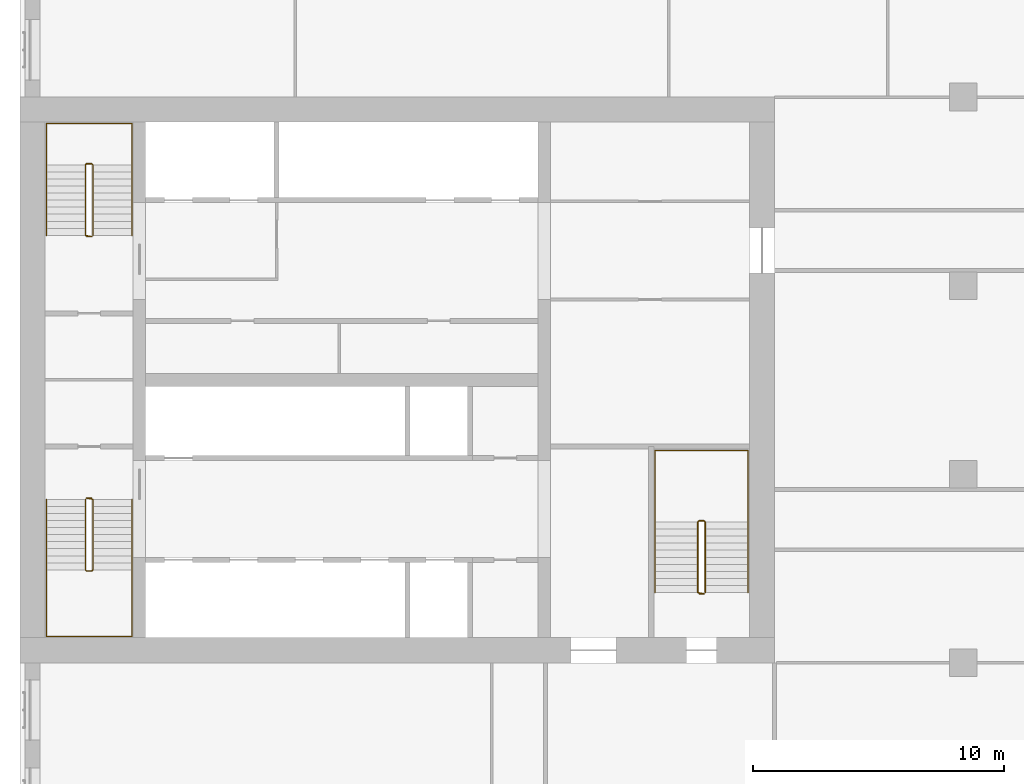
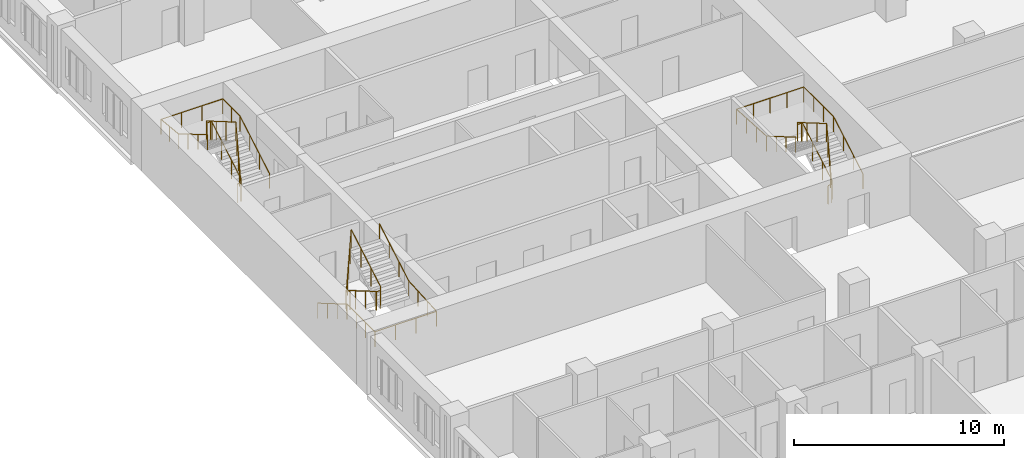
# One storey, part 14 of 14: 6 railings.
"""IFC4 building model written with IfcOpenShell, lengths in metres."""

from ifc_helpers import new_model, si_unit, direction, frame, origin, origin_2d, place, context, subcontext, project, spatial, circle, extrude, material, type_object, element, save


model = new_model("IFC4")

# Units and contexts
model_context = context("Model", 3, precision=1e-05, world=origin(), true_north=direction((0.0, 1.0)))
body_context = subcontext(model_context, "Body", "Model", "MODEL_VIEW")
ifc_project = project(units=[si_unit("LENGTHUNIT", "METRE"), si_unit("AREAUNIT", "SQUARE_METRE"), si_unit("VOLUMEUNIT", "CUBIC_METRE"), si_unit("PLANEANGLEUNIT", "RADIAN"), si_unit("MASSUNIT", "GRAM", prefix="KILO")], contexts=[model_context])

# Site, building, storey
site_placement = place(None, origin())
site = spatial("IfcSite", under=ifc_project, at=site_placement, CompositionType="ELEMENT")
building_placement = place(site_placement, origin())
building = spatial("IfcBuilding", under=site, at=building_placement, Name="Tamorin Gate", CompositionType="ELEMENT")
storey_placement = place(building_placement, frame((0.0, 0.0, 86.300048828125)))
storey = spatial("IfcBuildingStorey", under=building, at=storey_placement, Name="L20", CompositionType="ELEMENT", Elevation=86.300048828125)

# Railings
ifc_material_1 = material(Name="Painted steel balustrade", Category="steel")
railing_type_1 = type_object("IfcRailingType", Name="Stair guard 1100", PredefinedType="GUARDRAIL", material=ifc_material_1)
railing_1_placement = place(storey_placement, frame((32.60009765625, 66.5, 0.16357421875)))
element("IfcRailing", 1, at=railing_1_placement, inside=storey, type_object=railing_type_1, Name="L20 ST1 stair guard 1", PredefinedType="GUARDRAIL", context=body_context, shape_type="SweptSolid", body=[
    extrude(circle(Radius=0.02392578125, at=origin_2d()), frame((0.0, 0.0, 1.076171875), z_axis=(0.0, -0.863360870873, 0.504586966384), x_axis=(1.0, 0.0, 0.0)), (0.0, 0.0, 1.0), 3.2431640625),
    extrude(circle(Radius=0.02392578125, at=origin_2d()), frame((0.0, -2.800048828125, 2.71240234375), z_axis=(0.705375805398, -0.708833529934, 0.0), x_axis=(0.708833529934, 0.705375805398, 0.0)), (0.0, 0.0, 1.0), 0.070556640625),
    extrude(circle(Radius=0.02392578125, at=origin_2d()), frame((0.0498046875, -2.85009765625, 2.71240234375), z_axis=(1.0, 0.0, 0.0), x_axis=(0.0, 1.0, 0.0)), (0.0, 0.0, 1.0), 0.2001953125),
    extrude(circle(Radius=0.02392578125, at=origin_2d()), frame((0.25, -2.85009765625, 2.71240234375), z_axis=(0.279546231943, 0.280916556609, 0.91811752648), x_axis=(-0.708833529934, 0.705375805398, 0.0)), (0.0, 0.0, 1.0), 0.17822265625),
    extrude(circle(Radius=0.02392578125, at=origin_2d()), frame((0.2998046875, -2.800048828125, 2.8759765625), z_axis=(0.0, 0.863393664356, 0.504530851732), x_axis=(-1.0, 0.0, 0.0)), (0.0, 0.0, 1.0), 3.2431640625),
    extrude(circle(Radius=0.02392578125, at=origin_2d()), frame((0.2998046875, 0.0, 4.51220703125), z_axis=(-0.069273741535, 0.013868278335, -0.997501288014), x_axis=(-0.196300278283, -0.98054382908, 0.0)), (0.0, 0.0, 1.0), 3.60888671875),
    extrude(circle(Radius=0.02392578125, at=origin_2d()), frame((0.0498046875, 0.050048828125, 0.91259765625), z_axis=(1.0, 0.0, 0.0), x_axis=(0.0, 1.0, 0.0)), (0.0, 0.0, 1.0), 0.2001953125),
    extrude(circle(Radius=0.02099609375, at=origin_2d()), origin(), (0.0, 0.0, 1.0), 1.052001953125),
    extrude(circle(Radius=0.02099609375, at=origin_2d()), frame((0.0, -0.933349609375, 0.54541015625)), (0.0, 0.0, 1.0), 1.052001953125),
    extrude(circle(Radius=0.02099609375, at=origin_2d()), frame((0.0, -1.86669921875, 1.091064453125)), (0.0, 0.0, 1.0), 1.052001953125),
    extrude(circle(Radius=0.02099609375, at=origin_2d()), frame((0.0, -2.800048828125, 1.636474609375)), (0.0, 0.0, 1.0), 1.052001953125),
    extrude(circle(Radius=0.02099609375, at=origin_2d()), frame((0.0498046875, -2.85009765625, 1.636474609375)), (0.0, 0.0, 1.0), 1.052001953125),
    extrude(circle(Radius=0.02099609375, at=origin_2d()), frame((0.25, -2.85009765625, 1.636474609375)), (0.0, 0.0, 1.0), 1.052001953125),
    extrude(circle(Radius=0.02099609375, at=origin_2d()), frame((0.2998046875, -2.800048828125, 1.800048828125)), (0.0, 0.0, 1.0), 1.052001953125),
    extrude(circle(Radius=0.02099609375, at=origin_2d()), frame((0.2998046875, -1.86669921875, 2.345458984375)), (0.0, 0.0, 1.0), 1.052001953125),
    extrude(circle(Radius=0.02099609375, at=origin_2d()), frame((0.2998046875, -0.933349609375, 2.890869140625)), (0.0, 0.0, 1.0), 1.052001953125),
    extrude(circle(Radius=0.02099609375, at=origin_2d()), frame((0.2998046875, 0.0, 3.436279296875)), (0.0, 0.0, 1.0), 1.052001953125),
    extrude(circle(Radius=0.02099609375, at=origin_2d()), frame((0.2373046875, 0.012451171875, 2.536376953125)), (0.0, 0.0, 1.0), 1.052001953125),
    extrude(circle(Radius=0.02099609375, at=origin_2d()), frame((0.1748046875, 0.02490234375, 1.63623046875)), (0.0, 0.0, 1.0), 1.052001953125),
    extrude(circle(Radius=0.02099609375, at=origin_2d()), frame((0.1123046875, 0.03759765625, 0.736328125)), (0.0, 0.0, 1.0), 1.052001953125),
    extrude(circle(Radius=0.02099609375, at=origin_2d()), frame((0.0498046875, 0.050048828125, -0.16357421875)), (0.0, 0.0, 1.0), 1.052001953125),
    extrude(circle(Radius=0.02099609375, at=origin_2d()), frame((0.25, 0.050048828125, -0.16357421875)), (0.0, 0.0, 1.0), 1.052001953125),
])
railing_2_placement = place(storey_placement, frame((32.89990234375, 77.0, 0.16357421875)))
element("IfcRailing", 2, at=railing_2_placement, inside=storey, type_object=railing_type_1, Name="L20 ST2 stair guard 1", PredefinedType="GUARDRAIL", context=body_context, shape_type="SweptSolid", body=[
    extrude(circle(Radius=0.02392578125, at=origin_2d()), frame((0.0, 0.0, 1.076171875), z_axis=(0.0, 0.863360870873, 0.504586966384), x_axis=(-1.0, 0.0, 0.0)), (0.0, 0.0, 1.0), 3.2431640625),
    extrude(circle(Radius=0.02392578125, at=origin_2d()), frame((0.0, 2.800048828125, 2.71240234375), z_axis=(-0.705375805398, 0.708833529934, 0.0), x_axis=(-0.708833529934, -0.705375805398, 0.0)), (0.0, 0.0, 1.0), 0.070556640625),
    extrude(circle(Radius=0.02392578125, at=origin_2d()), frame((-0.0498046875, 2.85009765625, 2.71240234375), z_axis=(-1.0, 0.0, 0.0), x_axis=(0.0, -1.0, 0.0)), (0.0, 0.0, 1.0), 0.2001953125),
    extrude(circle(Radius=0.02392578125, at=origin_2d()), frame((-0.25, 2.85009765625, 2.71240234375), z_axis=(-0.279546231943, -0.280916556609, 0.91811752648), x_axis=(0.708833529934, -0.705375805398, 0.0)), (0.0, 0.0, 1.0), 0.17822265625),
    extrude(circle(Radius=0.02392578125, at=origin_2d()), frame((-0.2998046875, 2.800048828125, 2.8759765625), z_axis=(0.0, -0.863393664356, 0.504530851732), x_axis=(1.0, 0.0, 0.0)), (0.0, 0.0, 1.0), 3.2431640625),
    extrude(circle(Radius=0.02392578125, at=origin_2d()), frame((-0.2998046875, 0.0, 4.51220703125), z_axis=(0.069273741535, -0.013868278335, -0.997501288014), x_axis=(0.196300278283, 0.98054382908, 0.0)), (0.0, 0.0, 1.0), 3.60888671875),
    extrude(circle(Radius=0.02392578125, at=origin_2d()), frame((-0.0498046875, -0.050048828125, 0.91259765625), z_axis=(-1.0, 0.0, 0.0), x_axis=(0.0, -1.0, 0.0)), (0.0, 0.0, 1.0), 0.2001953125),
    extrude(circle(Radius=0.02099609375, at=origin_2d()), origin(), (0.0, 0.0, 1.0), 1.052001953125),
    extrude(circle(Radius=0.02099609375, at=origin_2d()), frame((0.0, 0.933349609375, 0.54541015625)), (0.0, 0.0, 1.0), 1.052001953125),
    extrude(circle(Radius=0.02099609375, at=origin_2d()), frame((0.0, 1.86669921875, 1.091064453125)), (0.0, 0.0, 1.0), 1.052001953125),
    extrude(circle(Radius=0.02099609375, at=origin_2d()), frame((0.0, 2.800048828125, 1.636474609375)), (0.0, 0.0, 1.0), 1.052001953125),
    extrude(circle(Radius=0.02099609375, at=origin_2d()), frame((-0.0498046875, 2.85009765625, 1.636474609375)), (0.0, 0.0, 1.0), 1.052001953125),
    extrude(circle(Radius=0.02099609375, at=origin_2d()), frame((-0.25, 2.85009765625, 1.636474609375)), (0.0, 0.0, 1.0), 1.052001953125),
    extrude(circle(Radius=0.02099609375, at=origin_2d()), frame((-0.2998046875, 2.800048828125, 1.800048828125)), (0.0, 0.0, 1.0), 1.052001953125),
    extrude(circle(Radius=0.02099609375, at=origin_2d()), frame((-0.2998046875, 1.86669921875, 2.345458984375)), (0.0, 0.0, 1.0), 1.052001953125),
    extrude(circle(Radius=0.02099609375, at=origin_2d()), frame((-0.2998046875, 0.933349609375, 2.890869140625)), (0.0, 0.0, 1.0), 1.052001953125),
    extrude(circle(Radius=0.02099609375, at=origin_2d()), frame((-0.2998046875, 0.0, 3.436279296875)), (0.0, 0.0, 1.0), 1.052001953125),
    extrude(circle(Radius=0.02099609375, at=origin_2d()), frame((-0.2373046875, -0.012451171875, 2.536376953125)), (0.0, 0.0, 1.0), 1.052001953125),
    extrude(circle(Radius=0.02099609375, at=origin_2d()), frame((-0.1748046875, -0.02490234375, 1.63623046875)), (0.0, 0.0, 1.0), 1.052001953125),
    extrude(circle(Radius=0.02099609375, at=origin_2d()), frame((-0.1123046875, -0.03759765625, 0.736328125)), (0.0, 0.0, 1.0), 1.052001953125),
    extrude(circle(Radius=0.02099609375, at=origin_2d()), frame((-0.0498046875, -0.050048828125, -0.16357421875)), (0.0, 0.0, 1.0), 1.052001953125),
    extrude(circle(Radius=0.02099609375, at=origin_2d()), frame((-0.25, -0.050048828125, -0.16357421875)), (0.0, 0.0, 1.0), 1.052001953125),
])
railing_3_placement = place(storey_placement, frame((57.25, 62.800048828125, 0.16357421875)))
element("IfcRailing", 3, at=railing_3_placement, inside=storey, type_object=railing_type_1, Name="L20 ST3 stair guard 1", PredefinedType="GUARDRAIL", context=body_context, shape_type="SweptSolid", body=[
    extrude(circle(Radius=0.02392578125, at=origin_2d()), frame((0.0, 0.0, 1.076171875), z_axis=(0.0, 0.863360870873, 0.504586966384), x_axis=(-1.0, 0.0, 0.0)), (0.0, 0.0, 1.0), 3.2431640625),
    extrude(circle(Radius=0.02392578125, at=origin_2d()), frame((0.0, 2.800048828125, 2.71240234375), z_axis=(-0.708833529934, 0.705375805398, 0.0), x_axis=(-0.705375805398, -0.708833529934, 0.0)), (0.0, 0.0, 1.0), 0.070556640625),
    extrude(circle(Radius=0.02392578125, at=origin_2d()), frame((-0.050048828125, 2.849853515625, 2.71240234375), z_axis=(-1.0, 0.0, 0.0), x_axis=(0.0, -1.0, 0.0)), (0.0, 0.0, 1.0), 0.199951171875),
    extrude(circle(Radius=0.02392578125, at=origin_2d()), frame((-0.25, 2.849853515625, 2.71240234375), z_axis=(-0.280916556609, -0.279546231943, 0.91811752648), x_axis=(0.705375805398, -0.708833529934, 0.0)), (0.0, 0.0, 1.0), 0.17822265625),
    extrude(circle(Radius=0.02392578125, at=origin_2d()), frame((-0.300048828125, 2.800048828125, 2.8759765625), z_axis=(0.0, -0.863393664356, 0.504530851732), x_axis=(1.0, 0.0, 0.0)), (0.0, 0.0, 1.0), 3.2431640625),
    extrude(circle(Radius=0.02392578125, at=origin_2d()), frame((-0.300048828125, 0.0, 4.51220703125), z_axis=(0.069273741535, -0.013868278335, -0.997501288014), x_axis=(0.196300278283, 0.98054382908, 0.0)), (0.0, 0.0, 1.0), 3.60888671875),
    extrude(circle(Radius=0.02392578125, at=origin_2d()), frame((-0.050048828125, -0.050048828125, 0.91259765625), z_axis=(-1.0, 0.0, 0.0), x_axis=(0.0, -1.0, 0.0)), (0.0, 0.0, 1.0), 0.199951171875),
    extrude(circle(Radius=0.02099609375, at=origin_2d()), origin(), (0.0, 0.0, 1.0), 1.052001953125),
    extrude(circle(Radius=0.02099609375, at=origin_2d()), frame((0.0, 0.933349609375, 0.54541015625)), (0.0, 0.0, 1.0), 1.052001953125),
    extrude(circle(Radius=0.02099609375, at=origin_2d()), frame((0.0, 1.86669921875, 1.091064453125)), (0.0, 0.0, 1.0), 1.052001953125),
    extrude(circle(Radius=0.02099609375, at=origin_2d()), frame((0.0, 2.800048828125, 1.636474609375)), (0.0, 0.0, 1.0), 1.052001953125),
    extrude(circle(Radius=0.02099609375, at=origin_2d()), frame((-0.050048828125, 2.849853515625, 1.636474609375)), (0.0, 0.0, 1.0), 1.052001953125),
    extrude(circle(Radius=0.02099609375, at=origin_2d()), frame((-0.25, 2.849853515625, 1.636474609375)), (0.0, 0.0, 1.0), 1.052001953125),
    extrude(circle(Radius=0.02099609375, at=origin_2d()), frame((-0.300048828125, 2.800048828125, 1.800048828125)), (0.0, 0.0, 1.0), 1.052001953125),
    extrude(circle(Radius=0.02099609375, at=origin_2d()), frame((-0.300048828125, 1.86669921875, 2.345458984375)), (0.0, 0.0, 1.0), 1.052001953125),
    extrude(circle(Radius=0.02099609375, at=origin_2d()), frame((-0.300048828125, 0.933349609375, 2.890869140625)), (0.0, 0.0, 1.0), 1.052001953125),
    extrude(circle(Radius=0.02099609375, at=origin_2d()), frame((-0.300048828125, 0.0, 3.436279296875)), (0.0, 0.0, 1.0), 1.052001953125),
    extrude(circle(Radius=0.02099609375, at=origin_2d()), frame((-0.237548828125, -0.012451171875, 2.536376953125)), (0.0, 0.0, 1.0), 1.052001953125),
    extrude(circle(Radius=0.02099609375, at=origin_2d()), frame((-0.175048828125, -0.02490234375, 1.63623046875)), (0.0, 0.0, 1.0), 1.052001953125),
    extrude(circle(Radius=0.02099609375, at=origin_2d()), frame((-0.112548828125, -0.03759765625, 0.736328125)), (0.0, 0.0, 1.0), 1.052001953125),
    extrude(circle(Radius=0.02099609375, at=origin_2d()), frame((-0.050048828125, -0.050048828125, -0.16357421875)), (0.0, 0.0, 1.0), 1.052001953125),
    extrude(circle(Radius=0.02099609375, at=origin_2d()), frame((-0.25, -0.050048828125, -0.16357421875)), (0.0, 0.0, 1.0), 1.052001953125),
])
ifc_material_2 = material(Name="Painted steel handrail", Category="steel")
railing_type_2 = type_object("IfcRailingType", Name="Stair handrail 900", PredefinedType="HANDRAIL", material=ifc_material_2)
railing_4_placement = place(storey_placement, frame((31.050048828125, 66.5, 0.16357421875)))
element("IfcRailing", 4, at=railing_4_placement, inside=storey, type_object=railing_type_2, Name="L20 ST1 stair handrail 1", PredefinedType="HANDRAIL", context=body_context, shape_type="SweptSolid", body=[
    extrude(circle(Radius=0.02392578125, at=origin_2d()), frame((0.0, 0.0, 0.8759765625), z_axis=(0.0, -0.863360870873, 0.504586966384), x_axis=(1.0, 0.0, 0.0)), (0.0, 0.0, 1.0), 3.2431640625),
    extrude(circle(Radius=0.02392578125, at=origin_2d()), frame((0.0, -2.800048828125, 2.51220703125), z_axis=(0.0, -1.0, 0.0), x_axis=(1.0, 0.0, 0.0)), (0.0, 0.0, 1.0), 2.64990234375),
    extrude(circle(Radius=0.02392578125, at=origin_2d()), frame((0.0, -5.449951171875, 2.51220703125), z_axis=(1.0, 0.0, 0.0), x_axis=(0.0, 1.0, 0.0)), (0.0, 0.0, 1.0), 3.39990234375),
    extrude(circle(Radius=0.02392578125, at=origin_2d()), frame((3.39990234375, -5.449951171875, 2.51220703125), z_axis=(0.0, 0.998100230056, 0.061611125312), x_axis=(-1.0, 0.0, 0.0)), (0.0, 0.0, 1.0), 2.655029296875),
    extrude(circle(Radius=0.02392578125, at=origin_2d()), frame((3.39990234375, -2.800048828125, 2.67578125), z_axis=(0.0, 0.863393664356, 0.504530851732), x_axis=(-1.0, 0.0, 0.0)), (0.0, 0.0, 1.0), 3.2431640625),
    extrude(circle(Radius=0.02099609375, at=origin_2d()), origin(), (0.0, 0.0, 1.0), 0.851806640625),
    extrude(circle(Radius=0.02099609375, at=origin_2d()), frame((0.0, -0.933349609375, 0.54541015625)), (0.0, 0.0, 1.0), 0.851806640625),
    extrude(circle(Radius=0.02099609375, at=origin_2d()), frame((0.0, -1.86669921875, 1.091064453125)), (0.0, 0.0, 1.0), 0.851806640625),
    extrude(circle(Radius=0.02099609375, at=origin_2d()), frame((0.0, -2.800048828125, 1.636474609375)), (0.0, 0.0, 1.0), 0.851806640625),
    extrude(circle(Radius=0.02099609375, at=origin_2d()), frame((0.0, -3.683349609375, 1.636474609375)), (0.0, 0.0, 1.0), 0.851806640625),
    extrude(circle(Radius=0.02099609375, at=origin_2d()), frame((0.0, -4.566650390625, 1.636474609375)), (0.0, 0.0, 1.0), 0.851806640625),
    extrude(circle(Radius=0.02099609375, at=origin_2d()), frame((0.0, -5.449951171875, 1.636474609375)), (0.0, 0.0, 1.0), 0.851806640625),
    extrude(circle(Radius=0.02099609375, at=origin_2d()), frame((1.13330078125, -5.449951171875, 1.636474609375)), (0.0, 0.0, 1.0), 0.851806640625),
    extrude(circle(Radius=0.02099609375, at=origin_2d()), frame((2.2666015625, -5.449951171875, 1.636474609375)), (0.0, 0.0, 1.0), 0.851806640625),
    extrude(circle(Radius=0.02099609375, at=origin_2d()), frame((3.39990234375, -5.449951171875, 1.636474609375)), (0.0, 0.0, 1.0), 0.851806640625),
    extrude(circle(Radius=0.02099609375, at=origin_2d()), frame((3.39990234375, -4.566650390625, 1.69091796875)), (0.0, 0.0, 1.0), 0.851806640625),
    extrude(circle(Radius=0.02099609375, at=origin_2d()), frame((3.39990234375, -3.683349609375, 1.74560546875)), (0.0, 0.0, 1.0), 0.851806640625),
    extrude(circle(Radius=0.02099609375, at=origin_2d()), frame((3.39990234375, -2.800048828125, 1.800048828125)), (0.0, 0.0, 1.0), 0.851806640625),
    extrude(circle(Radius=0.02099609375, at=origin_2d()), frame((3.39990234375, -1.86669921875, 2.345458984375)), (0.0, 0.0, 1.0), 0.851806640625),
    extrude(circle(Radius=0.02099609375, at=origin_2d()), frame((3.39990234375, -0.933349609375, 2.890869140625)), (0.0, 0.0, 1.0), 0.851806640625),
    extrude(circle(Radius=0.02099609375, at=origin_2d()), frame((3.39990234375, 0.0, 3.436279296875)), (0.0, 0.0, 1.0), 0.851806640625),
])
railing_5_placement = place(storey_placement, frame((34.449951171875, 77.0, 0.16357421875)))
element("IfcRailing", 5, at=railing_5_placement, inside=storey, type_object=railing_type_2, Name="L20 ST2 stair handrail 1", PredefinedType="HANDRAIL", context=body_context, shape_type="SweptSolid", body=[
    extrude(circle(Radius=0.02392578125, at=origin_2d()), frame((0.0, 0.0, 0.8759765625), z_axis=(0.0, 0.863360870873, 0.504586966384), x_axis=(-1.0, 0.0, 0.0)), (0.0, 0.0, 1.0), 3.2431640625),
    extrude(circle(Radius=0.02392578125, at=origin_2d()), frame((0.0, 2.800048828125, 2.51220703125), z_axis=(0.0, 1.0, 0.0), x_axis=(-1.0, 0.0, 0.0)), (0.0, 0.0, 1.0), 1.64990234375),
    extrude(circle(Radius=0.02392578125, at=origin_2d()), frame((0.0, 4.449951171875, 2.51220703125), z_axis=(-1.0, 0.0, 0.0), x_axis=(0.0, -1.0, 0.0)), (0.0, 0.0, 1.0), 3.39990234375),
    extrude(circle(Radius=0.02392578125, at=origin_2d()), frame((-3.39990234375, 4.449951171875, 2.51220703125), z_axis=(0.0, -0.995121390814, 0.098658084026), x_axis=(1.0, 0.0, 0.0)), (0.0, 0.0, 1.0), 1.657958984375),
    extrude(circle(Radius=0.02392578125, at=origin_2d()), frame((-3.39990234375, 2.800048828125, 2.67578125), z_axis=(0.0, -0.863393664356, 0.504530851732), x_axis=(1.0, 0.0, 0.0)), (0.0, 0.0, 1.0), 3.2431640625),
    extrude(circle(Radius=0.02099609375, at=origin_2d()), origin(), (0.0, 0.0, 1.0), 0.851806640625),
    extrude(circle(Radius=0.02099609375, at=origin_2d()), frame((0.0, 0.933349609375, 0.54541015625)), (0.0, 0.0, 1.0), 0.851806640625),
    extrude(circle(Radius=0.02099609375, at=origin_2d()), frame((0.0, 1.86669921875, 1.091064453125)), (0.0, 0.0, 1.0), 0.851806640625),
    extrude(circle(Radius=0.02099609375, at=origin_2d()), frame((0.0, 2.800048828125, 1.636474609375)), (0.0, 0.0, 1.0), 0.851806640625),
    extrude(circle(Radius=0.02099609375, at=origin_2d()), frame((0.0, 3.625, 1.636474609375)), (0.0, 0.0, 1.0), 0.851806640625),
    extrude(circle(Radius=0.02099609375, at=origin_2d()), frame((0.0, 4.449951171875, 1.636474609375)), (0.0, 0.0, 1.0), 0.851806640625),
    extrude(circle(Radius=0.02099609375, at=origin_2d()), frame((-1.13330078125, 4.449951171875, 1.636474609375)), (0.0, 0.0, 1.0), 0.851806640625),
    extrude(circle(Radius=0.02099609375, at=origin_2d()), frame((-2.2666015625, 4.449951171875, 1.636474609375)), (0.0, 0.0, 1.0), 0.851806640625),
    extrude(circle(Radius=0.02099609375, at=origin_2d()), frame((-3.39990234375, 4.449951171875, 1.636474609375)), (0.0, 0.0, 1.0), 0.851806640625),
    extrude(circle(Radius=0.02099609375, at=origin_2d()), frame((-3.39990234375, 3.625, 1.71826171875)), (0.0, 0.0, 1.0), 0.851806640625),
    extrude(circle(Radius=0.02099609375, at=origin_2d()), frame((-3.39990234375, 2.800048828125, 1.800048828125)), (0.0, 0.0, 1.0), 0.851806640625),
    extrude(circle(Radius=0.02099609375, at=origin_2d()), frame((-3.39990234375, 1.86669921875, 2.345458984375)), (0.0, 0.0, 1.0), 0.851806640625),
    extrude(circle(Radius=0.02099609375, at=origin_2d()), frame((-3.39990234375, 0.933349609375, 2.890869140625)), (0.0, 0.0, 1.0), 0.851806640625),
    extrude(circle(Radius=0.02099609375, at=origin_2d()), frame((-3.39990234375, 0.0, 3.436279296875)), (0.0, 0.0, 1.0), 0.851806640625),
])
railing_6_placement = place(storey_placement, frame((58.949951171875, 62.800048828125, 0.16357421875)))
element("IfcRailing", 6, at=railing_6_placement, inside=storey, type_object=railing_type_2, Name="L20 ST3 stair handrail 1", PredefinedType="HANDRAIL", context=body_context, shape_type="SweptSolid", body=[
    extrude(circle(Radius=0.02392578125, at=origin_2d()), frame((0.0, 0.0, 0.8759765625), z_axis=(0.0, 0.863360870873, 0.504586966384), x_axis=(-1.0, 0.0, 0.0)), (0.0, 0.0, 1.0), 3.2431640625),
    extrude(circle(Radius=0.02392578125, at=origin_2d()), frame((0.0, 2.800048828125, 2.51220703125), z_axis=(0.0, 1.0, 0.0), x_axis=(-1.0, 0.0, 0.0)), (0.0, 0.0, 1.0), 2.849853515625),
    extrude(circle(Radius=0.02392578125, at=origin_2d()), frame((0.0, 5.64990234375, 2.51220703125), z_axis=(-1.0, 0.0, 0.0), x_axis=(0.0, -1.0, 0.0)), (0.0, 0.0, 1.0), 3.699951171875),
    extrude(circle(Radius=0.02392578125, at=origin_2d()), frame((-3.699951171875, 5.64990234375, 2.51220703125), z_axis=(0.0, -0.998356827416, 0.057303098978), x_axis=(1.0, 0.0, 0.0)), (0.0, 0.0, 1.0), 2.8544921875),
    extrude(circle(Radius=0.02392578125, at=origin_2d()), frame((-3.699951171875, 2.800048828125, 2.67578125), z_axis=(0.0, -0.863393664356, 0.504530851732), x_axis=(1.0, 0.0, 0.0)), (0.0, 0.0, 1.0), 3.2431640625),
    extrude(circle(Radius=0.02099609375, at=origin_2d()), origin(), (0.0, 0.0, 1.0), 0.851806640625),
    extrude(circle(Radius=0.02099609375, at=origin_2d()), frame((0.0, 0.933349609375, 0.54541015625)), (0.0, 0.0, 1.0), 0.851806640625),
    extrude(circle(Radius=0.02099609375, at=origin_2d()), frame((0.0, 1.86669921875, 1.091064453125)), (0.0, 0.0, 1.0), 0.851806640625),
    extrude(circle(Radius=0.02099609375, at=origin_2d()), frame((0.0, 2.800048828125, 1.636474609375)), (0.0, 0.0, 1.0), 0.851806640625),
    extrude(circle(Radius=0.02099609375, at=origin_2d()), frame((0.0, 3.75, 1.636474609375)), (0.0, 0.0, 1.0), 0.851806640625),
    extrude(circle(Radius=0.02099609375, at=origin_2d()), frame((0.0, 4.699951171875, 1.636474609375)), (0.0, 0.0, 1.0), 0.851806640625),
    extrude(circle(Radius=0.02099609375, at=origin_2d()), frame((0.0, 5.64990234375, 1.636474609375)), (0.0, 0.0, 1.0), 0.851806640625),
    extrude(circle(Radius=0.02099609375, at=origin_2d()), frame((-0.925048828125, 5.64990234375, 1.636474609375)), (0.0, 0.0, 1.0), 0.851806640625),
    extrude(circle(Radius=0.02099609375, at=origin_2d()), frame((-1.85009765625, 5.64990234375, 1.636474609375)), (0.0, 0.0, 1.0), 0.851806640625),
    extrude(circle(Radius=0.02099609375, at=origin_2d()), frame((-2.77490234375, 5.64990234375, 1.636474609375)), (0.0, 0.0, 1.0), 0.851806640625),
    extrude(circle(Radius=0.02099609375, at=origin_2d()), frame((-3.699951171875, 5.64990234375, 1.636474609375)), (0.0, 0.0, 1.0), 0.851806640625),
    extrude(circle(Radius=0.02099609375, at=origin_2d()), frame((-3.699951171875, 4.699951171875, 1.69091796875)), (0.0, 0.0, 1.0), 0.851806640625),
    extrude(circle(Radius=0.02099609375, at=origin_2d()), frame((-3.699951171875, 3.75, 1.74560546875)), (0.0, 0.0, 1.0), 0.851806640625),
    extrude(circle(Radius=0.02099609375, at=origin_2d()), frame((-3.699951171875, 2.800048828125, 1.800048828125)), (0.0, 0.0, 1.0), 0.851806640625),
    extrude(circle(Radius=0.02099609375, at=origin_2d()), frame((-3.699951171875, 1.86669921875, 2.345458984375)), (0.0, 0.0, 1.0), 0.851806640625),
    extrude(circle(Radius=0.02099609375, at=origin_2d()), frame((-3.699951171875, 0.933349609375, 2.890869140625)), (0.0, 0.0, 1.0), 0.851806640625),
    extrude(circle(Radius=0.02099609375, at=origin_2d()), frame((-3.699951171875, 0.0, 3.436279296875)), (0.0, 0.0, 1.0), 0.851806640625),
])

save(model, "model.ifc")
